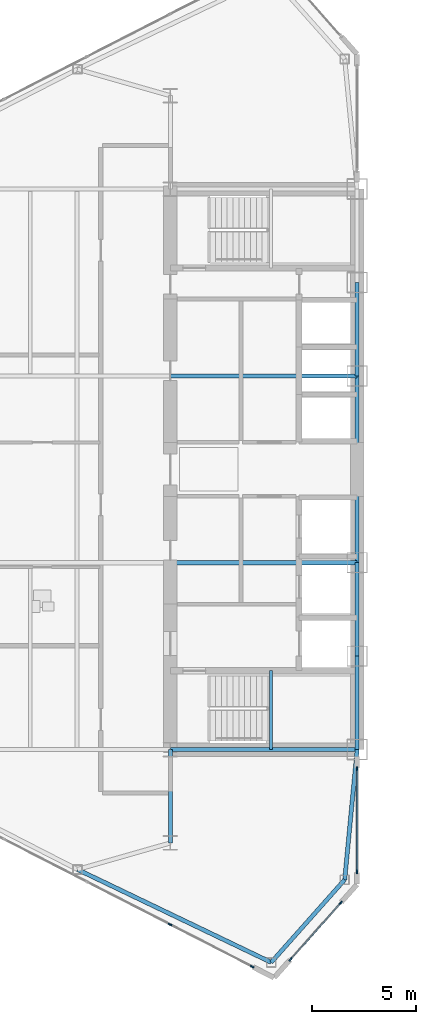
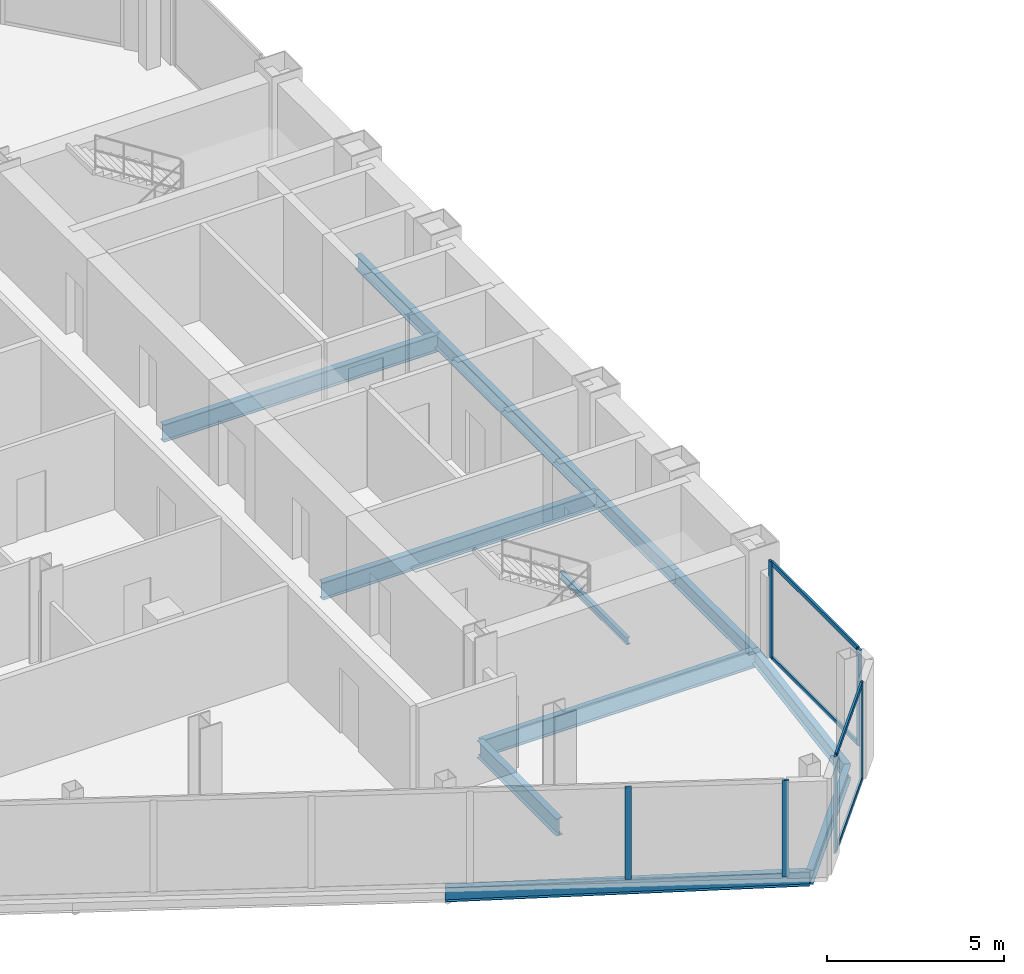
# One storey, part 5 of 23: 12 beams, 10 members, 3 elements without a shape of their own.
"""IFC4 building model written with IfcOpenShell, lengths in metres."""

from ifc_helpers import new_model, si_unit, direction, frame, origin, origin_2d, place, context, subcontext, project, spatial, rectangle, i_section, extrude, source, transform, mapped, material, layer, layer_set, material_profile, profile_set, type_object, type_shapes, element, aggregate, save


model = new_model("IFC4")

# Units and contexts
model_context = context("Model", 3, precision=1e-05, world=origin(), true_north=direction((0.0, 1.0)))
body_context = subcontext(model_context, "Body", "Model", "MODEL_VIEW")
ifc_project = project(units=[si_unit("LENGTHUNIT", "METRE"), si_unit("AREAUNIT", "SQUARE_METRE"), si_unit("VOLUMEUNIT", "CUBIC_METRE"), si_unit("PLANEANGLEUNIT", "RADIAN"), si_unit("MASSUNIT", "GRAM", prefix="KILO")], contexts=[model_context])

# Site, building, storey
site_placement = place(None, origin())
site = spatial("IfcSite", under=ifc_project, at=site_placement, CompositionType="ELEMENT")
building_placement = place(site_placement, origin())
building = spatial("IfcBuilding", under=site, at=building_placement, Name="Seokmaru Belvedere", CompositionType="ELEMENT")
storey_placement = place(building_placement, frame((0.0, 0.0, 132.0)))
storey = spatial("IfcBuildingStorey", under=building, at=storey_placement, Name="L35", CompositionType="ELEMENT", Elevation=132.0)

# Beams
ifc_material_1 = material(Name="Steel SM355 (355 MPa)", Category="steel")
ifc_material_profile_1 = material_profile(ifc_material_1, i_section(OverallWidth=0.199951171875, OverallDepth=0.5, WebThickness=0.010009765625, FlangeThickness=0.01611328125, at=origin_2d()), Name="H-500x200x10x16")
ifc_profile_set_1 = profile_set([ifc_material_profile_1], Name="Steel SM355 (355 MPa)")
beam_type_1 = type_object("IfcBeamType", Name="Perimeter Spandrel Beam H-500", PredefinedType="SPANDREL", material=ifc_profile_set_1)
shared_shape_1 = source(origin(), body_context, "Body", "SweptSolid", [
    extrude(i_section(OverallWidth=0.199951171875, OverallDepth=0.5, WebThickness=0.010009765625, FlangeThickness=0.01611328125, at=origin_2d()), origin(), (0.0, 0.0, 1.0), 4.5),
])
for number, where, z_axis, x_axis, name in (
    (1, (-27.5, -13.5, -0.469970703125), (0.0, 1.0, 0.0), (-1.0, 0.0, 0.0), "L35 W Portal Spine Spandrel 1"),
    (2, (-27.5, -9.0, -0.469970703125), (0.0, 1.0, 0.0), (-1.0, 0.0, 0.0), "L35 W Portal Spine Spandrel 2"),
    (3, (-27.5, 4.5, -0.469970703125), (0.0, 1.0, 0.0), (-1.0, 0.0, 0.0), "L35 W Portal Spine Spandrel 4"),
):
    element("IfcBeam", number, at=place(storey_placement, frame(where, z_axis=z_axis, x_axis=x_axis)), inside=storey, type_object=beam_type_1, Name=name, PredefinedType="SPANDREL", context=body_context, shape_type="MappedRepresentation", body=[
        mapped(shared_shape_1, transform((0.0, 0.0, 0.0), scale=1.0)),
    ])
shared_shape_2 = source(origin(), body_context, "Body", "SweptSolid", [
    extrude(i_section(OverallWidth=0.199951171875, OverallDepth=0.5, WebThickness=0.010009765625, FlangeThickness=0.01611328125, at=origin_2d()), origin(), (0.0, 0.0, 1.0), 9.0),
])
beam_1_placement = place(storey_placement, frame((-27.5, -4.5, -0.469970703125), z_axis=(0.0, 1.0, 0.0), x_axis=(-1.0, 0.0, 0.0)))
element("IfcBeam", 4, at=beam_1_placement, inside=storey, type_object=beam_type_1, Name="L35 W Portal Spine Spandrel 3", PredefinedType="SPANDREL", context=body_context, shape_type="MappedRepresentation", body=[
    mapped(shared_shape_2, transform((0.0, 0.0, 0.0), scale=1.0)),
])
ifc_material_profile_2 = material_profile(ifc_material_1, i_section(OverallWidth=0.199951171875, OverallDepth=0.60009765625, WebThickness=0.010986328125, FlangeThickness=0.01708984375, at=origin_2d()), Name="H-600x200x11x17")
ifc_profile_set_2 = profile_set([ifc_material_profile_2], Name="Steel SM355 (355 MPa)")
beam_type_2 = type_object("IfcBeamType", Name="Primary Floor Girder H-600", PredefinedType="BEAM", material=ifc_profile_set_2)
shared_shape_3 = source(origin(), body_context, "Body", "SweptSolid", [
    extrude(i_section(OverallWidth=0.199951171875, OverallDepth=0.60009765625, WebThickness=0.010986328125, FlangeThickness=0.01708984375, at=origin_2d()), origin(), (0.0, 0.0, 1.0), 9.0),
])
for number, where, z_axis, x_axis, name in (
    (5, (-36.5, -13.5, -0.52001953125), (1.0, 0.0, 0.0), (0.0, 1.0, 0.0), "L35 W Core Tie Girder 1"),
    (6, (-36.5, -4.5, -0.52001953125), (1.0, 0.0, 0.0), (0.0, 1.0, 0.0), "L35 W Core Tie Girder 2"),
    (7, (-36.5, 4.5, -0.52001953125), (1.0, 0.0, 0.0), (0.0, 1.0, 0.0), "L35 W Core Tie Girder 3"),
):
    element("IfcBeam", number, at=place(storey_placement, frame(where, z_axis=z_axis, x_axis=x_axis)), inside=storey, type_object=beam_type_2, Name=name, PredefinedType="BEAM", context=body_context, shape_type="MappedRepresentation", body=[
        mapped(shared_shape_3, transform((0.0, 0.0, 0.0), scale=1.0)),
    ])
shared_shape_4 = source(origin(), body_context, "Body", "SweptSolid", [
    extrude(i_section(OverallWidth=0.199951171875, OverallDepth=0.60009765625, WebThickness=0.010986328125, FlangeThickness=0.01708984375, at=origin_2d()), origin(), (0.0, 0.0, 1.0), 4.5),
])
type_shapes(beam_type_2, [shared_shape_3, shared_shape_4])
beam_2_placement = place(storey_placement, frame((-36.5, -18.0, -0.52001953125), z_axis=(0.0, 1.0, 0.0), x_axis=(-1.0, 0.0, 0.0)))
element("IfcBeam", 8, at=beam_2_placement, inside=storey, type_object=beam_type_2, Name="L35 W Core Shoulder Girder S", PredefinedType="BEAM", context=body_context, shape_type="MappedRepresentation", body=[
    mapped(shared_shape_4, transform((0.0, 0.0, 0.0), scale=1.0)),
])
shared_shape_5 = source(origin(), body_context, "Body", "SweptSolid", [
    extrude(i_section(OverallWidth=0.199951171875, OverallDepth=0.5, WebThickness=0.010009765625, FlangeThickness=0.01611328125, at=origin_2d()), origin(), (0.0, 0.0, 1.0), 10.353759765625),
])
beam_3_placement = place(storey_placement, frame((-31.6396484375, -23.75390625, -0.469970703125), z_axis=(-0.901713202822, 0.432334708134, 0.0), x_axis=(-0.432334708134, -0.901713202822, 0.0)))
element("IfcBeam", 9, at=beam_3_placement, inside=storey, type_object=beam_type_1, Name="L35 W Faceted Flank Spandrel S-1", PredefinedType="SPANDREL", context=body_context, shape_type="MappedRepresentation", body=[
    mapped(shared_shape_5, transform((0.0, 0.0, 0.0), scale=1.0)),
])
shared_shape_6 = source(origin(), body_context, "Body", "SweptSolid", [
    extrude(i_section(OverallWidth=0.199951171875, OverallDepth=0.5, WebThickness=0.010009765625, FlangeThickness=0.01611328125, at=origin_2d()), origin(), (0.0, 0.0, 1.0), 5.32763671875),
])
beam_4_placement = place(storey_placement, frame((-31.6396484375, -23.75390625, -0.469970703125), z_axis=(0.66436952742, 0.74740426212, 0.0), x_axis=(-0.74740426212, 0.66436952742, 0.0)))
element("IfcBeam", 10, at=beam_4_placement, inside=storey, type_object=beam_type_1, Name="L35 W Shoulder Chamfer Spandrel S", PredefinedType="SPANDREL", context=body_context, shape_type="MappedRepresentation", body=[
    mapped(shared_shape_6, transform((0.0, 0.0, 0.0), scale=1.0)),
])
shared_shape_7 = source(origin(), body_context, "Body", "SweptSolid", [
    extrude(i_section(OverallWidth=0.199951171875, OverallDepth=0.5, WebThickness=0.010009765625, FlangeThickness=0.01611328125, at=origin_2d()), origin(), (0.0, 0.0, 1.0), 6.300537109375),
])
type_shapes(beam_type_1, [shared_shape_1, shared_shape_2, shared_shape_5, shared_shape_6, shared_shape_7])
beam_5_placement = place(storey_placement, frame((-28.10009765625, -19.77197265625, -0.469970703125), z_axis=(0.095244287992, 0.995453929424, 0.0), x_axis=(-0.995453929424, 0.095244287992, 0.0)))
element("IfcBeam", 11, at=beam_5_placement, inside=storey, type_object=beam_type_1, Name="L35 W Shoulder Spine Spandrel S", PredefinedType="SPANDREL", context=body_context, shape_type="MappedRepresentation", body=[
    mapped(shared_shape_7, transform((0.0, 0.0, 0.0), scale=1.0)),
])

# Curtain wall, members
ifc_material_2 = material(Name="Bronze Triple Insulating Glass", Category="glass")
ifc_layer = layer(ifc_material_2, 0.195068359375)
ifc_layer_set = layer_set([ifc_layer], Name="Bronze Triple Insulating Glass")
curtain_wall_type = type_object("IfcCurtainWallType", Name="Sky-Lobby and Mid-Rise Curtain Wall System CW-4", PredefinedType="NOTDEFINED", material=ifc_layer_set)
curtain_wall_1_placement = place(storey_placement, origin())
curtain_wall_1 = element("IfcCurtainWall", 12, at=curtain_wall_1_placement, inside=storey, type_object=curtain_wall_type, Name="L35 Curtain Wall WSP_1", PredefinedType="NOTDEFINED")
ifc_material_3 = material(Name="Anodised Bronze Aluminium", Category="aluminium")
ifc_material_profile_3 = material_profile(ifc_material_3, rectangle(XDim=0.070068359375, YDim=0.195068359375, at=origin_2d()), Name="CW-M-70x195")
ifc_profile_set_3 = profile_set([ifc_material_profile_3], Name="Anodised Bronze Aluminium")
member_type_1 = type_object("IfcMemberType", Name="Bronze Unitised Mullion 70x195", PredefinedType="MULLION", material=ifc_profile_set_3)
shared_shape_8 = source(origin(), body_context, "Body", "SweptSolid", [
    extrude(rectangle(XDim=0.070068359375, YDim=0.195068359375, at=origin_2d()), origin(), (0.0, 0.0, 1.0), 3.340087890625),
])
member_1_placement = place(storey_placement, frame((-27.5, -19.39501953125, 0.0), z_axis=(0.0, 0.0, 1.0), x_axis=(-1.0, 0.0, 0.0)))
member_1 = element("IfcMember", 13, at=member_1_placement, type_object=member_type_1, Name="CW:L35:WSP_1 Mullion 1", PredefinedType="MULLION", context=body_context, shape_type="MappedRepresentation", body=[
    mapped(shared_shape_8, transform((0.0, 0.0, 0.0), scale=1.0)),
])
member_2_placement = place(storey_placement, frame((-27.5, -14.4150390625, 0.0), z_axis=(0.0, 0.0, 1.0), x_axis=(-1.0, 0.0, 0.0)))
member_2 = element("IfcMember", 14, at=member_2_placement, type_object=member_type_1, Name="CW:L35:WSP_1 Mullion 2", PredefinedType="MULLION", context=body_context, shape_type="MappedRepresentation", body=[
    mapped(shared_shape_8, transform((0.0, 0.0, 0.0), scale=1.0)),
])

# Curtain wall, member
curtain_wall_2_placement = place(storey_placement, origin())
curtain_wall_2 = element("IfcCurtainWall", 15, at=curtain_wall_2_placement, inside=storey, type_object=curtain_wall_type, Name="L35 Curtain Wall WF5", PredefinedType="NOTDEFINED")
member_3_placement = place(storey_placement, frame((-32.55419921875, -23.958984375, 0.0), z_axis=(0.0, 0.0, 1.0), x_axis=(0.456554528263, 0.889695432562, 0.0)))
member_3 = element("IfcMember", 16, at=member_3_placement, type_object=member_type_1, Name="CW:L35:WF5 Mullion 10", PredefinedType="MULLION", context=body_context, shape_type="MappedRepresentation", body=[
    mapped(shared_shape_8, transform((0.0, 0.0, 0.0), scale=1.0)),
])

# Curtain wall, members
curtain_wall_3_placement = place(storey_placement, origin())
curtain_wall_3 = element("IfcCurtainWall", 17, at=curtain_wall_3_placement, inside=storey, type_object=curtain_wall_type, Name="L35 Curtain Wall WF6", PredefinedType="NOTDEFINED")
member_4_placement = place(storey_placement, frame((-30.712646484375, -23.6142578125, 0.0), z_axis=(0.0, 0.0, 1.0), x_axis=(-0.747409774804, 0.664363325694, 0.0)))
member_4 = element("IfcMember", 18, at=member_4_placement, type_object=member_type_1, Name="CW:L35:WF6 Mullion 1", PredefinedType="MULLION", context=body_context, shape_type="MappedRepresentation", body=[
    mapped(shared_shape_8, transform((0.0, 0.0, 0.0), scale=1.0)),
])
member_5_placement = place(storey_placement, frame((-28.287353515625, -20.8857421875, 0.0), z_axis=(0.0, 0.0, 1.0), x_axis=(-0.747409774804, 0.664363325694, 0.0)))
member_5 = element("IfcMember", 19, at=member_5_placement, type_object=member_type_1, Name="CW:L35:WF6 Mullion 2", PredefinedType="MULLION", context=body_context, shape_type="MappedRepresentation", body=[
    mapped(shared_shape_8, transform((0.0, 0.0, 0.0), scale=1.0)),
])

# Member
ifc_material_profile_4 = material_profile(ifc_material_3, rectangle(XDim=0.06494140625, YDim=0.14990234375, at=origin_2d()), Name="CW-T-65x150")
ifc_profile_set_4 = profile_set([ifc_material_profile_4], Name="Anodised Bronze Aluminium")
member_type_2 = type_object("IfcMemberType", Name="Bronze Unitised Transom 65x150", PredefinedType="USERDEFINED", material=ifc_profile_set_4)
shared_shape_9 = source(origin(), body_context, "Body", "SweptSolid", [
    extrude(rectangle(XDim=0.06494140625, YDim=0.14990234375, at=origin_2d()), origin(), (0.0, 0.0, 1.0), 4.91015625),
])
member_6_placement = place(storey_placement, frame((-27.5, -19.360107421875, 0.032470703125), z_axis=(0.0, 1.0, 0.0), x_axis=(-1.0, 0.0, 0.0)))
member_6 = element("IfcMember", 20, at=member_6_placement, type_object=member_type_2, Name="CW:L35:WSP_1 Continuous Transom 1", ObjectType="TRANSOM", PredefinedType="USERDEFINED", context=body_context, shape_type="MappedRepresentation", body=[
    mapped(shared_shape_9, transform((0.0, 0.0, 0.0), scale=1.0)),
])

member_7_placement = place(storey_placement, frame((-27.5, -19.360107421875, 3.3076171875), z_axis=(0.0, 1.0, 0.0), x_axis=(-1.0, 0.0, 0.0)))
member_7 = element("IfcMember", 21, at=member_7_placement, type_object=member_type_2, Name="CW:L35:WSP_1 Continuous Transom 2", ObjectType="TRANSOM", PredefinedType="USERDEFINED", context=body_context, shape_type="MappedRepresentation", body=[
    mapped(shared_shape_9, transform((0.0, 0.0, 0.0), scale=1.0)),
])

aggregate(curtain_wall_1, [member_1, member_2, member_6, member_7])

shared_shape_10 = source(origin(), body_context, "Body", "SweptSolid", [
    extrude(rectangle(XDim=0.06494140625, YDim=0.14990234375, at=origin_2d()), origin(), (0.0, 0.0, 1.0), 3.580810546875),
])
type_shapes(member_type_2, [shared_shape_9, shared_shape_10])
member_8_placement = place(storey_placement, frame((-30.689453125, -23.588134765625, 0.032470703125), z_axis=(0.66436383883, 0.747409318684, 0.0), x_axis=(-0.747409318684, 0.66436383883, 0.0)))
member_8 = element("IfcMember", 22, at=member_8_placement, type_object=member_type_2, Name="CW:L35:WF6 Continuous Transom 1", ObjectType="TRANSOM", PredefinedType="USERDEFINED", context=body_context, shape_type="MappedRepresentation", body=[
    mapped(shared_shape_10, transform((0.0, 0.0, 0.0), scale=1.0)),
])

member_9_placement = place(storey_placement, frame((-30.689453125, -23.588134765625, 3.3076171875), z_axis=(0.66436383883, 0.747409318684, 0.0), x_axis=(-0.747409318684, 0.66436383883, 0.0)))
member_9 = element("IfcMember", 23, at=member_9_placement, type_object=member_type_2, Name="CW:L35:WF6 Continuous Transom 2", ObjectType="TRANSOM", PredefinedType="USERDEFINED", context=body_context, shape_type="MappedRepresentation", body=[
    mapped(shared_shape_10, transform((0.0, 0.0, 0.0), scale=1.0)),
])

aggregate(curtain_wall_3, [member_4, member_5, member_8, member_9])

shared_shape_11 = source(origin(), body_context, "Body", "SweptSolid", [
    extrude(rectangle(XDim=0.070068359375, YDim=0.195068359375, at=origin_2d()), origin(), (0.0, 0.0, 1.0), 3.2099609375),
])
type_shapes(member_type_1, [shared_shape_8, shared_shape_11])
member_10_placement = place(storey_placement, frame((-36.51806640625, -21.925048828125, 0.06494140625), z_axis=(0.0, 0.0, 1.0), x_axis=(0.456554528263, 0.889695432562, 0.0)))
member_10 = element("IfcMember", 24, at=member_10_placement, type_object=member_type_1, Name="CW:L35:WF5 Mullion 9", PredefinedType="MULLION", context=body_context, shape_type="MappedRepresentation", body=[
    mapped(shared_shape_11, transform((0.0, 0.0, 0.0), scale=1.0)),
])

aggregate(curtain_wall_2, [member_10, member_3])

# Beam
ifc_material_profile_5 = material_profile(ifc_material_1, i_section(OverallWidth=0.125, OverallDepth=0.25, WebThickness=0.006103515625, FlangeThickness=0.009033203125, at=origin_2d()), Name="H-250x125x6x9")
ifc_profile_set_5 = profile_set([ifc_material_profile_5], Name="Steel SM355 (355 MPa)")
beam_type_3 = type_object("IfcBeamType", Name="Stair Mid-Landing Support Beam H-250", PredefinedType="JOIST", material=ifc_profile_set_5)
shared_shape_12 = source(origin(), body_context, "Body", "SweptSolid", [
    extrude(i_section(OverallWidth=0.125, OverallDepth=0.25, WebThickness=0.006103515625, FlangeThickness=0.009033203125, at=origin_2d()), origin(), (0.0, 0.0, 1.0), 3.800048828125),
])
type_shapes(beam_type_3, [shared_shape_12])
beam_6_placement = place(storey_placement, frame((-31.64990234375, -13.5, 1.47509765625), z_axis=(0.0, 1.0, 0.0), x_axis=(-1.0, 0.0, 0.0)))
element("IfcBeam", 25, at=beam_6_placement, inside=storey, type_object=beam_type_3, Name="L35 Stair ST-W1 Mid-Landing Support Beam 1", PredefinedType="JOIST", context=body_context, shape_type="MappedRepresentation", body=[
    mapped(shared_shape_12, transform((0.0, 0.0, 0.0), scale=1.0)),
])

save(model, "model.ifc")
